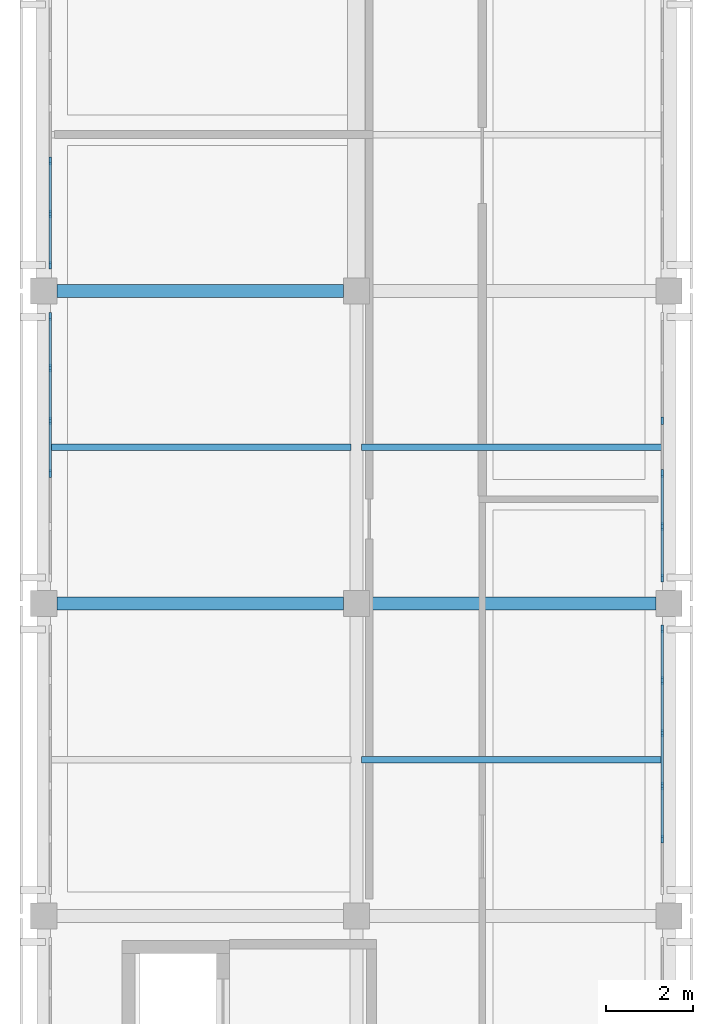
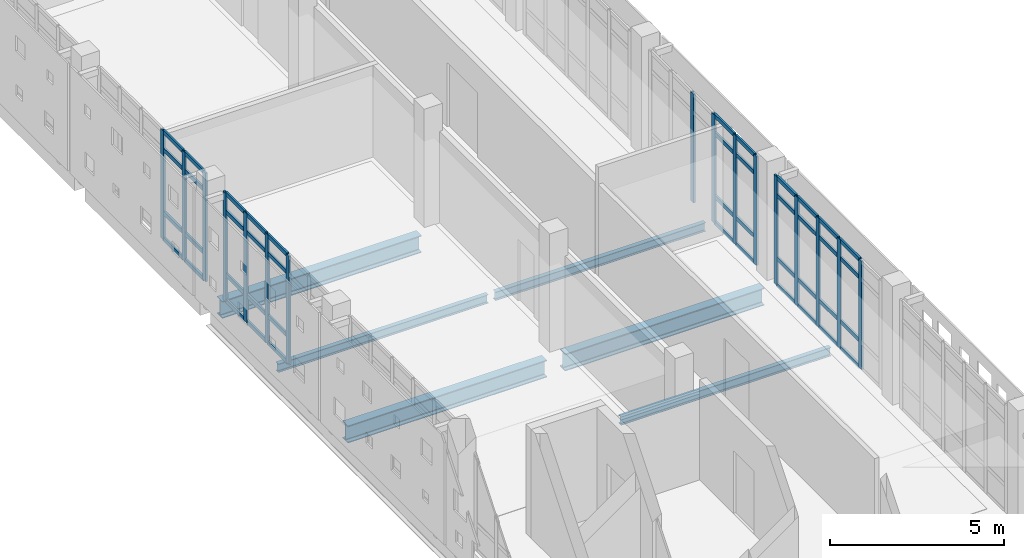
# One storey, part 5 of 21: 60 members, 6 beams, 4 elements without a shape of their own.
"""IFC4 building model written with IfcOpenShell, lengths in metres."""

from ifc_helpers import new_model, si_unit, direction, frame, origin, origin_2d, place, context, subcontext, project, spatial, rectangle, i_section, extrude, material, layer, layer_set, material_profile, profile_set, type_object, element, aggregate, save


model = new_model("IFC4")

# Units and contexts
model_context = context("Model", 3, precision=1e-05, world=origin(), true_north=direction((0.0, 1.0)))
body_context = subcontext(model_context, "Body", "Model", "MODEL_VIEW")
ifc_project = project(units=[si_unit("LENGTHUNIT", "METRE"), si_unit("AREAUNIT", "SQUARE_METRE"), si_unit("VOLUMEUNIT", "CUBIC_METRE"), si_unit("PLANEANGLEUNIT", "RADIAN"), si_unit("MASSUNIT", "GRAM", prefix="KILO")], contexts=[model_context])

# Site, building, storey
site_placement = place(None, origin())
site = spatial("IfcSite", under=ifc_project, at=site_placement, CompositionType="ELEMENT")
building_placement = place(site_placement, origin())
building = spatial("IfcBuilding", under=site, at=building_placement, Name="Valkovuoma Quantum and Materials Research Institute", CompositionType="ELEMENT")
storey_placement = place(building_placement, frame((0.0, 0.0, 33.919921875)))
storey = spatial("IfcBuildingStorey", under=building, at=storey_placement, Name="L08", CompositionType="ELEMENT", Elevation=33.919921875)

# Beams
ifc_material_1 = material(Name="Steel S355J2", Category="steel")
ifc_material_profile_1 = material_profile(ifc_material_1, i_section(OverallWidth=0.300048828125, OverallDepth=0.60009765625, WebThickness=0.015380859375, FlangeThickness=0.030029296875, FilletRadius=0.027099609375, at=origin_2d()), Name="Steel S355J2")
ifc_profile_set_1 = profile_set([ifc_material_profile_1], Name="Steel S355J2")
beam_type_1 = type_object("IfcBeamType", Name="Beam-B-HEB600", PredefinedType="BEAM", material=ifc_profile_set_1)
beam_1_placement = place(storey_placement, frame((0.300048828125, 50.39990234375, -0.64990234375), z_axis=(1.0, 0.0, 0.0), x_axis=(0.0, 1.0, 0.0)))
element("IfcBeam", 1, at=beam_1_placement, inside=storey, type_object=beam_type_1, Name="L08 beam X-2536", PredefinedType="BEAM", context=body_context, shape_type="SweptSolid", body=[
    extrude(i_section(OverallWidth=0.300048828125, OverallDepth=0.60009765625, WebThickness=0.015380859375, FlangeThickness=0.030029296875, FilletRadius=0.027099609375, at=origin_2d()), origin(), (0.0, 0.0, 1.0), 6.599853515625),
])
beam_2_placement = place(storey_placement, frame((7.5, 50.39990234375, -0.64990234375), z_axis=(1.0, 0.0, 0.0), x_axis=(0.0, 1.0, 0.0)))
element("IfcBeam", 2, at=beam_2_placement, inside=storey, type_object=beam_type_1, Name="L08 beam X-2537", PredefinedType="BEAM", context=body_context, shape_type="SweptSolid", body=[
    extrude(i_section(OverallWidth=0.300048828125, OverallDepth=0.60009765625, WebThickness=0.015380859375, FlangeThickness=0.030029296875, FilletRadius=0.027099609375, at=origin_2d()), origin(), (0.0, 0.0, 1.0), 6.60009765625),
])
beam_3_placement = place(storey_placement, frame((0.300048828125, 57.60009765625, -0.64990234375), z_axis=(1.0, 0.0, 0.0), x_axis=(0.0, 1.0, 0.0)))
element("IfcBeam", 3, at=beam_3_placement, inside=storey, type_object=beam_type_1, Name="L08 beam X-2538", PredefinedType="BEAM", context=body_context, shape_type="SweptSolid", body=[
    extrude(i_section(OverallWidth=0.300048828125, OverallDepth=0.60009765625, WebThickness=0.015380859375, FlangeThickness=0.030029296875, FilletRadius=0.027099609375, at=origin_2d()), origin(), (0.0, 0.0, 1.0), 6.599853515625),
])
ifc_material_2 = material(Name="Steel S355J2", Category="steel")
ifc_material_profile_2 = material_profile(ifc_material_2, i_section(OverallWidth=0.14990234375, OverallDepth=0.300048828125, WebThickness=0.007080078125, FlangeThickness=0.0107421875, FilletRadius=0.014892578125, at=origin_2d()), Name="Steel S355J2")
ifc_profile_set_2 = profile_set([ifc_material_profile_2], Name="Steel S355J2")
beam_type_2 = type_object("IfcBeamType", Name="Beam-B-JST300", PredefinedType="JOIST", material=ifc_profile_set_2)
for number, where, z_axis, x_axis, name in (
    (4, (7.320068359375, 46.800048828125, -0.5), (1.0, 0.0, 0.0), (0.0, 1.0, 0.0), "L08 floor joist 2563"),
    (5, (0.1201171875, 54.0, -0.5), (1.0, 0.0, 0.0), (0.0, 1.0, 0.0), "L08 floor joist 2564"),
    (6, (7.320068359375, 54.0, -0.5), (1.0, 0.0, 0.0), (0.0, 1.0, 0.0), "L08 floor joist 2565"),
):
    element("IfcBeam", number, at=place(storey_placement, frame(where, z_axis=z_axis, x_axis=x_axis)), inside=storey, type_object=beam_type_2, Name=name, PredefinedType="JOIST", context=body_context, shape_type="SweptSolid", body=[
        extrude(i_section(OverallWidth=0.14990234375, OverallDepth=0.300048828125, WebThickness=0.007080078125, FlangeThickness=0.0107421875, FilletRadius=0.014892578125, at=origin_2d()), origin(), (0.0, 0.0, 1.0), 6.9599609375),
    ])

# Curtain wall, members
ifc_material_3 = material(Name="Thermally broken aluminium and triple low-E glazing", Category="aluminium")
ifc_layer = layer(ifc_material_3, 0.219970703125)
ifc_layer_set = layer_set([ifc_layer], Name="Thermally broken aluminium and triple low-E glazing")
curtain_wall_type = type_object("IfcCurtainWallType", Name="CW-CW-01", PredefinedType="NOTDEFINED", material=ifc_layer_set)
curtain_wall_1_placement = place(storey_placement, origin())
curtain_wall_1 = element("IfcCurtainWall", 7, at=curtain_wall_1_placement, inside=storey, type_object=curtain_wall_type, Name="L08 curtain wall 115", PredefinedType="NOTDEFINED")
ifc_material_4 = material(Name="Anodised aluminium 6060-T66", Category="aluminium")
ifc_material_profile_3 = material_profile(ifc_material_4, rectangle(XDim=0.06494140625, YDim=0.179931640625, at=origin_2d()), Name="Anodised aluminium 6060-T66")
ifc_profile_set_3 = profile_set([ifc_material_profile_3], Name="Anodised aluminium 6060-T66")
member_type_1 = type_object("IfcMemberType", Name="CWMull-CWM-01", PredefinedType="MULLION", material=ifc_profile_set_3)
member_1_placement = place(storey_placement, frame((14.25, 44.974365234375, 0.0), z_axis=(0.0, 0.0, 1.0), x_axis=(-1.0, 0.0, 0.0)))
member_1 = element("IfcMember", 8, at=member_1_placement, type_object=member_type_1, Name="CW-01 mullion 2", PredefinedType="MULLION", context=body_context, shape_type="SweptSolid", body=[
    extrude(rectangle(XDim=0.06494140625, YDim=0.179931640625, at=origin_2d()), origin(), (0.0, 0.0, 1.0), 3.81005859375),
])
member_2_placement = place(storey_placement, frame((14.25, 46.19140625, 0.0), z_axis=(0.0, 0.0, 1.0), x_axis=(-1.0, 0.0, 0.0)))
member_2 = element("IfcMember", 9, at=member_2_placement, type_object=member_type_1, Name="CW-01 mullion 3", PredefinedType="MULLION", context=body_context, shape_type="SweptSolid", body=[
    extrude(rectangle(XDim=0.06494140625, YDim=0.179931640625, at=origin_2d()), origin(), (0.0, 0.0, 1.0), 3.81005859375),
])
member_3_placement = place(storey_placement, frame((14.25, 47.40869140625, 0.0), z_axis=(0.0, 0.0, 1.0), x_axis=(-1.0, 0.0, 0.0)))
member_3 = element("IfcMember", 10, at=member_3_placement, type_object=member_type_1, Name="CW-01 mullion 4", PredefinedType="MULLION", context=body_context, shape_type="SweptSolid", body=[
    extrude(rectangle(XDim=0.06494140625, YDim=0.179931640625, at=origin_2d()), origin(), (0.0, 0.0, 1.0), 3.81005859375),
])
member_4_placement = place(storey_placement, frame((14.25, 48.625732421875, 0.0), z_axis=(0.0, 0.0, 1.0), x_axis=(-1.0, 0.0, 0.0)))
member_4 = element("IfcMember", 11, at=member_4_placement, type_object=member_type_1, Name="CW-01 mullion 5", PredefinedType="MULLION", context=body_context, shape_type="SweptSolid", body=[
    extrude(rectangle(XDim=0.06494140625, YDim=0.179931640625, at=origin_2d()), origin(), (0.0, 0.0, 1.0), 3.81005859375),
])
member_5_placement = place(storey_placement, frame((14.25, 49.810302734375, 0.0), z_axis=(0.0, 0.0, 1.0), x_axis=(-1.0, 0.0, 0.0)))
member_5 = element("IfcMember", 12, at=member_5_placement, type_object=member_type_1, Name="CW-01 mullion 6", PredefinedType="MULLION", context=body_context, shape_type="SweptSolid", body=[
    extrude(rectangle(XDim=0.06494140625, YDim=0.179931640625, at=origin_2d()), origin(), (0.0, 0.0, 1.0), 3.81005859375),
])

curtain_wall_2_placement = place(storey_placement, origin())
curtain_wall_2 = element("IfcCurtainWall", 13, at=curtain_wall_2_placement, inside=storey, type_object=curtain_wall_type, Name="L08 curtain wall 116", PredefinedType="NOTDEFINED")
member_6_placement = place(storey_placement, frame((0.14990234375, 53.391357421875, 0.0), z_axis=(0.0, 0.0, 1.0), x_axis=(-1.0, 0.0, 0.0)))
member_6 = element("IfcMember", 14, at=member_6_placement, type_object=member_type_1, Name="CW-01 mullion 3", PredefinedType="MULLION", context=body_context, shape_type="SweptSolid", body=[
    extrude(rectangle(XDim=0.06494140625, YDim=0.179931640625, at=origin_2d()), origin(), (0.0, 0.0, 1.0), 3.81005859375),
])
member_7_placement = place(storey_placement, frame((0.14990234375, 54.608642578125, 0.0), z_axis=(0.0, 0.0, 1.0), x_axis=(-1.0, 0.0, 0.0)))
member_7 = element("IfcMember", 15, at=member_7_placement, type_object=member_type_1, Name="CW-01 mullion 4", PredefinedType="MULLION", context=body_context, shape_type="SweptSolid", body=[
    extrude(rectangle(XDim=0.06494140625, YDim=0.179931640625, at=origin_2d()), origin(), (0.0, 0.0, 1.0), 3.81005859375),
])
member_8_placement = place(storey_placement, frame((0.14990234375, 55.82568359375, 0.0), z_axis=(0.0, 0.0, 1.0), x_axis=(-1.0, 0.0, 0.0)))
member_8 = element("IfcMember", 16, at=member_8_placement, type_object=member_type_1, Name="CW-01 mullion 5", PredefinedType="MULLION", context=body_context, shape_type="SweptSolid", body=[
    extrude(rectangle(XDim=0.06494140625, YDim=0.179931640625, at=origin_2d()), origin(), (0.0, 0.0, 1.0), 3.81005859375),
])
member_9_placement = place(storey_placement, frame((0.14990234375, 57.010498046875, 0.0), z_axis=(0.0, 0.0, 1.0), x_axis=(-1.0, 0.0, 0.0)))
member_9 = element("IfcMember", 17, at=member_9_placement, type_object=member_type_1, Name="CW-01 mullion 6", PredefinedType="MULLION", context=body_context, shape_type="SweptSolid", body=[
    extrude(rectangle(XDim=0.06494140625, YDim=0.179931640625, at=origin_2d()), origin(), (0.0, 0.0, 1.0), 3.81005859375),
])

curtain_wall_3_placement = place(storey_placement, origin())
curtain_wall_3 = element("IfcCurtainWall", 18, at=curtain_wall_3_placement, inside=storey, type_object=curtain_wall_type, Name="L08 curtain wall 117", PredefinedType="NOTDEFINED")
member_10_placement = place(storey_placement, frame((14.25, 50.989501953125, 0.0), z_axis=(0.0, 0.0, 1.0), x_axis=(-1.0, 0.0, 0.0)))
member_10 = element("IfcMember", 19, at=member_10_placement, type_object=member_type_1, Name="CW-01 mullion 1", PredefinedType="MULLION", context=body_context, shape_type="SweptSolid", body=[
    extrude(rectangle(XDim=0.06494140625, YDim=0.179931640625, at=origin_2d()), origin(), (0.0, 0.0, 1.0), 3.81005859375),
])
member_11_placement = place(storey_placement, frame((14.25, 52.17431640625, 0.0), z_axis=(0.0, 0.0, 1.0), x_axis=(-1.0, 0.0, 0.0)))
member_11 = element("IfcMember", 20, at=member_11_placement, type_object=member_type_1, Name="CW-01 mullion 2", PredefinedType="MULLION", context=body_context, shape_type="SweptSolid", body=[
    extrude(rectangle(XDim=0.06494140625, YDim=0.179931640625, at=origin_2d()), origin(), (0.0, 0.0, 1.0), 3.81005859375),
])
member_12_placement = place(storey_placement, frame((14.25, 53.391357421875, 0.0), z_axis=(0.0, 0.0, 1.0), x_axis=(-1.0, 0.0, 0.0)))
member_12 = element("IfcMember", 21, at=member_12_placement, type_object=member_type_1, Name="CW-01 mullion 3", PredefinedType="MULLION", context=body_context, shape_type="SweptSolid", body=[
    extrude(rectangle(XDim=0.06494140625, YDim=0.179931640625, at=origin_2d()), origin(), (0.0, 0.0, 1.0), 3.81005859375),
])
member_13_placement = place(storey_placement, frame((14.25, 54.608642578125, 0.0), z_axis=(0.0, 0.0, 1.0), x_axis=(-1.0, 0.0, 0.0)))
member_13 = element("IfcMember", 22, at=member_13_placement, type_object=member_type_1, Name="CW-01 mullion 4", PredefinedType="MULLION", context=body_context, shape_type="SweptSolid", body=[
    extrude(rectangle(XDim=0.06494140625, YDim=0.179931640625, at=origin_2d()), origin(), (0.0, 0.0, 1.0), 3.81005859375),
])

curtain_wall_4_placement = place(storey_placement, origin())
curtain_wall_4 = element("IfcCurtainWall", 23, at=curtain_wall_4_placement, inside=storey, type_object=curtain_wall_type, Name="L08 curtain wall 118", PredefinedType="NOTDEFINED")
member_14_placement = place(storey_placement, frame((0.14990234375, 58.189697265625, 0.0), z_axis=(0.0, 0.0, 1.0), x_axis=(-1.0, 0.0, 0.0)))
member_14 = element("IfcMember", 24, at=member_14_placement, type_object=member_type_1, Name="CW-01 mullion 1", PredefinedType="MULLION", context=body_context, shape_type="SweptSolid", body=[
    extrude(rectangle(XDim=0.06494140625, YDim=0.179931640625, at=origin_2d()), origin(), (0.0, 0.0, 1.0), 3.81005859375),
])
member_15_placement = place(storey_placement, frame((0.14990234375, 59.374267578125, 0.0), z_axis=(0.0, 0.0, 1.0), x_axis=(-1.0, 0.0, 0.0)))
member_15 = element("IfcMember", 25, at=member_15_placement, type_object=member_type_1, Name="CW-01 mullion 2", PredefinedType="MULLION", context=body_context, shape_type="SweptSolid", body=[
    extrude(rectangle(XDim=0.06494140625, YDim=0.179931640625, at=origin_2d()), origin(), (0.0, 0.0, 1.0), 3.81005859375),
])
member_16_placement = place(storey_placement, frame((0.14990234375, 60.59130859375, 0.0), z_axis=(0.0, 0.0, 1.0), x_axis=(-1.0, 0.0, 0.0)))
member_16 = element("IfcMember", 26, at=member_16_placement, type_object=member_type_1, Name="CW-01 mullion 3", PredefinedType="MULLION", context=body_context, shape_type="SweptSolid", body=[
    extrude(rectangle(XDim=0.06494140625, YDim=0.179931640625, at=origin_2d()), origin(), (0.0, 0.0, 1.0), 3.81005859375),
])

# Member
ifc_material_5 = material(Name="Anodised aluminium 6060-T66", Category="aluminium")
ifc_material_profile_4 = material_profile(ifc_material_5, rectangle(XDim=0.06494140625, YDim=0.139892578125, at=origin_2d()), Name="Anodised aluminium 6060-T66")
ifc_profile_set_4 = profile_set([ifc_material_profile_4], Name="Anodised aluminium 6060-T66")
member_type_2 = type_object("IfcMemberType", Name="CWTran-CWT-01", PredefinedType="USERDEFINED", material=ifc_profile_set_4)
member_17_placement = place(storey_placement, frame((14.25, 45.0068359375, 0.032470703125), z_axis=(0.0, 1.0, 0.0), x_axis=(-1.0, 0.0, 0.0)))
member_17 = element("IfcMember", 27, at=member_17_placement, type_object=member_type_2, Name="CW-01 transom 2.1", ObjectType="TRANSOM", PredefinedType="USERDEFINED", context=body_context, shape_type="SweptSolid", body=[
    extrude(rectangle(XDim=0.06494140625, YDim=0.139892578125, at=origin_2d()), origin(), (0.0, 0.0, 1.0), 1.152099609375),
])

member_18_placement = place(storey_placement, frame((14.25, 45.0068359375, 0.9501953125), z_axis=(0.0, 1.0, 0.0), x_axis=(-1.0, 0.0, 0.0)))
member_18 = element("IfcMember", 28, at=member_18_placement, type_object=member_type_2, Name="CW-01 transom 2.2", ObjectType="TRANSOM", PredefinedType="USERDEFINED", context=body_context, shape_type="SweptSolid", body=[
    extrude(rectangle(XDim=0.06494140625, YDim=0.139892578125, at=origin_2d()), origin(), (0.0, 0.0, 1.0), 1.152099609375),
])

member_19_placement = place(storey_placement, frame((14.25, 45.0068359375, 3.16015625), z_axis=(0.0, 1.0, 0.0), x_axis=(-1.0, 0.0, 0.0)))
member_19 = element("IfcMember", 29, at=member_19_placement, type_object=member_type_2, Name="CW-01 transom 2.3", ObjectType="TRANSOM", PredefinedType="USERDEFINED", context=body_context, shape_type="SweptSolid", body=[
    extrude(rectangle(XDim=0.06494140625, YDim=0.139892578125, at=origin_2d()), origin(), (0.0, 0.0, 1.0), 1.152099609375),
])

member_20_placement = place(storey_placement, frame((14.25, 45.0068359375, 3.777587890625), z_axis=(0.0, 1.0, 0.0), x_axis=(-1.0, 0.0, 0.0)))
member_20 = element("IfcMember", 30, at=member_20_placement, type_object=member_type_2, Name="CW-01 transom 2.4", ObjectType="TRANSOM", PredefinedType="USERDEFINED", context=body_context, shape_type="SweptSolid", body=[
    extrude(rectangle(XDim=0.06494140625, YDim=0.139892578125, at=origin_2d()), origin(), (0.0, 0.0, 1.0), 1.152099609375),
])

member_21_placement = place(storey_placement, frame((14.25, 46.223876953125, 0.032470703125), z_axis=(0.0, 1.0, 0.0), x_axis=(-1.0, 0.0, 0.0)))
member_21 = element("IfcMember", 31, at=member_21_placement, type_object=member_type_2, Name="CW-01 transom 3.1", ObjectType="TRANSOM", PredefinedType="USERDEFINED", context=body_context, shape_type="SweptSolid", body=[
    extrude(rectangle(XDim=0.06494140625, YDim=0.139892578125, at=origin_2d()), origin(), (0.0, 0.0, 1.0), 1.152099609375),
])

member_22_placement = place(storey_placement, frame((14.25, 46.223876953125, 0.9501953125), z_axis=(0.0, 1.0, 0.0), x_axis=(-1.0, 0.0, 0.0)))
member_22 = element("IfcMember", 32, at=member_22_placement, type_object=member_type_2, Name="CW-01 transom 3.2", ObjectType="TRANSOM", PredefinedType="USERDEFINED", context=body_context, shape_type="SweptSolid", body=[
    extrude(rectangle(XDim=0.06494140625, YDim=0.139892578125, at=origin_2d()), origin(), (0.0, 0.0, 1.0), 1.152099609375),
])

member_23_placement = place(storey_placement, frame((14.25, 46.223876953125, 3.16015625), z_axis=(0.0, 1.0, 0.0), x_axis=(-1.0, 0.0, 0.0)))
member_23 = element("IfcMember", 33, at=member_23_placement, type_object=member_type_2, Name="CW-01 transom 3.3", ObjectType="TRANSOM", PredefinedType="USERDEFINED", context=body_context, shape_type="SweptSolid", body=[
    extrude(rectangle(XDim=0.06494140625, YDim=0.139892578125, at=origin_2d()), origin(), (0.0, 0.0, 1.0), 1.152099609375),
])

member_24_placement = place(storey_placement, frame((14.25, 46.223876953125, 3.777587890625), z_axis=(0.0, 1.0, 0.0), x_axis=(-1.0, 0.0, 0.0)))
member_24 = element("IfcMember", 34, at=member_24_placement, type_object=member_type_2, Name="CW-01 transom 3.4", ObjectType="TRANSOM", PredefinedType="USERDEFINED", context=body_context, shape_type="SweptSolid", body=[
    extrude(rectangle(XDim=0.06494140625, YDim=0.139892578125, at=origin_2d()), origin(), (0.0, 0.0, 1.0), 1.152099609375),
])

member_25_placement = place(storey_placement, frame((14.25, 47.441162109375, 0.032470703125), z_axis=(0.0, 1.0, 0.0), x_axis=(-1.0, 0.0, 0.0)))
member_25 = element("IfcMember", 35, at=member_25_placement, type_object=member_type_2, Name="CW-01 transom 4.1", ObjectType="TRANSOM", PredefinedType="USERDEFINED", context=body_context, shape_type="SweptSolid", body=[
    extrude(rectangle(XDim=0.06494140625, YDim=0.139892578125, at=origin_2d()), origin(), (0.0, 0.0, 1.0), 1.152099609375),
])

member_26_placement = place(storey_placement, frame((14.25, 47.441162109375, 0.9501953125), z_axis=(0.0, 1.0, 0.0), x_axis=(-1.0, 0.0, 0.0)))
member_26 = element("IfcMember", 36, at=member_26_placement, type_object=member_type_2, Name="CW-01 transom 4.2", ObjectType="TRANSOM", PredefinedType="USERDEFINED", context=body_context, shape_type="SweptSolid", body=[
    extrude(rectangle(XDim=0.06494140625, YDim=0.139892578125, at=origin_2d()), origin(), (0.0, 0.0, 1.0), 1.152099609375),
])

member_27_placement = place(storey_placement, frame((14.25, 47.441162109375, 3.16015625), z_axis=(0.0, 1.0, 0.0), x_axis=(-1.0, 0.0, 0.0)))
member_27 = element("IfcMember", 37, at=member_27_placement, type_object=member_type_2, Name="CW-01 transom 4.3", ObjectType="TRANSOM", PredefinedType="USERDEFINED", context=body_context, shape_type="SweptSolid", body=[
    extrude(rectangle(XDim=0.06494140625, YDim=0.139892578125, at=origin_2d()), origin(), (0.0, 0.0, 1.0), 1.152099609375),
])

member_28_placement = place(storey_placement, frame((14.25, 47.441162109375, 3.777587890625), z_axis=(0.0, 1.0, 0.0), x_axis=(-1.0, 0.0, 0.0)))
member_28 = element("IfcMember", 38, at=member_28_placement, type_object=member_type_2, Name="CW-01 transom 4.4", ObjectType="TRANSOM", PredefinedType="USERDEFINED", context=body_context, shape_type="SweptSolid", body=[
    extrude(rectangle(XDim=0.06494140625, YDim=0.139892578125, at=origin_2d()), origin(), (0.0, 0.0, 1.0), 1.152099609375),
])

member_29_placement = place(storey_placement, frame((14.25, 48.658203125, 0.032470703125), z_axis=(0.0, 1.0, 0.0), x_axis=(-1.0, 0.0, 0.0)))
member_29 = element("IfcMember", 39, at=member_29_placement, type_object=member_type_2, Name="CW-01 transom 5.1", ObjectType="TRANSOM", PredefinedType="USERDEFINED", context=body_context, shape_type="SweptSolid", body=[
    extrude(rectangle(XDim=0.06494140625, YDim=0.139892578125, at=origin_2d()), origin(), (0.0, 0.0, 1.0), 1.11962890625),
])

member_30_placement = place(storey_placement, frame((14.25, 48.658203125, 0.9501953125), z_axis=(0.0, 1.0, 0.0), x_axis=(-1.0, 0.0, 0.0)))
member_30 = element("IfcMember", 40, at=member_30_placement, type_object=member_type_2, Name="CW-01 transom 5.2", ObjectType="TRANSOM", PredefinedType="USERDEFINED", context=body_context, shape_type="SweptSolid", body=[
    extrude(rectangle(XDim=0.06494140625, YDim=0.139892578125, at=origin_2d()), origin(), (0.0, 0.0, 1.0), 1.11962890625),
])

member_31_placement = place(storey_placement, frame((14.25, 48.658203125, 3.16015625), z_axis=(0.0, 1.0, 0.0), x_axis=(-1.0, 0.0, 0.0)))
member_31 = element("IfcMember", 41, at=member_31_placement, type_object=member_type_2, Name="CW-01 transom 5.3", ObjectType="TRANSOM", PredefinedType="USERDEFINED", context=body_context, shape_type="SweptSolid", body=[
    extrude(rectangle(XDim=0.06494140625, YDim=0.139892578125, at=origin_2d()), origin(), (0.0, 0.0, 1.0), 1.11962890625),
])

member_32_placement = place(storey_placement, frame((14.25, 48.658203125, 3.777587890625), z_axis=(0.0, 1.0, 0.0), x_axis=(-1.0, 0.0, 0.0)))
member_32 = element("IfcMember", 42, at=member_32_placement, type_object=member_type_2, Name="CW-01 transom 5.4", ObjectType="TRANSOM", PredefinedType="USERDEFINED", context=body_context, shape_type="SweptSolid", body=[
    extrude(rectangle(XDim=0.06494140625, YDim=0.139892578125, at=origin_2d()), origin(), (0.0, 0.0, 1.0), 1.11962890625),
])

aggregate(curtain_wall_1, [member_1, member_2, member_3, member_4, member_5, member_17, member_18, member_19, member_20, member_21, member_22, member_23, member_24, member_25, member_26, member_27, member_28, member_29, member_30, member_31, member_32])

member_33_placement = place(storey_placement, frame((0.14990234375, 53.423828125, 0.032470703125), z_axis=(0.0, 1.0, 0.0), x_axis=(-1.0, 0.0, 0.0)))
member_33 = element("IfcMember", 43, at=member_33_placement, type_object=member_type_2, Name="CW-01 transom 3.1", ObjectType="TRANSOM", PredefinedType="USERDEFINED", context=body_context, shape_type="SweptSolid", body=[
    extrude(rectangle(XDim=0.06494140625, YDim=0.139892578125, at=origin_2d()), origin(), (0.0, 0.0, 1.0), 1.15234375),
])

member_34_placement = place(storey_placement, frame((0.14990234375, 53.423828125, 0.9501953125), z_axis=(0.0, 1.0, 0.0), x_axis=(-1.0, 0.0, 0.0)))
member_34 = element("IfcMember", 44, at=member_34_placement, type_object=member_type_2, Name="CW-01 transom 3.2", ObjectType="TRANSOM", PredefinedType="USERDEFINED", context=body_context, shape_type="SweptSolid", body=[
    extrude(rectangle(XDim=0.06494140625, YDim=0.139892578125, at=origin_2d()), origin(), (0.0, 0.0, 1.0), 1.15234375),
])

member_35_placement = place(storey_placement, frame((0.14990234375, 53.423828125, 3.16015625), z_axis=(0.0, 1.0, 0.0), x_axis=(-1.0, 0.0, 0.0)))
member_35 = element("IfcMember", 45, at=member_35_placement, type_object=member_type_2, Name="CW-01 transom 3.3", ObjectType="TRANSOM", PredefinedType="USERDEFINED", context=body_context, shape_type="SweptSolid", body=[
    extrude(rectangle(XDim=0.06494140625, YDim=0.139892578125, at=origin_2d()), origin(), (0.0, 0.0, 1.0), 1.15234375),
])

member_36_placement = place(storey_placement, frame((0.14990234375, 53.423828125, 3.777587890625), z_axis=(0.0, 1.0, 0.0), x_axis=(-1.0, 0.0, 0.0)))
member_36 = element("IfcMember", 46, at=member_36_placement, type_object=member_type_2, Name="CW-01 transom 3.4", ObjectType="TRANSOM", PredefinedType="USERDEFINED", context=body_context, shape_type="SweptSolid", body=[
    extrude(rectangle(XDim=0.06494140625, YDim=0.139892578125, at=origin_2d()), origin(), (0.0, 0.0, 1.0), 1.15234375),
])

member_37_placement = place(storey_placement, frame((0.14990234375, 54.64111328125, 0.032470703125), z_axis=(0.0, 1.0, 0.0), x_axis=(-1.0, 0.0, 0.0)))
member_37 = element("IfcMember", 47, at=member_37_placement, type_object=member_type_2, Name="CW-01 transom 4.1", ObjectType="TRANSOM", PredefinedType="USERDEFINED", context=body_context, shape_type="SweptSolid", body=[
    extrude(rectangle(XDim=0.06494140625, YDim=0.139892578125, at=origin_2d()), origin(), (0.0, 0.0, 1.0), 1.152099609375),
])

member_38_placement = place(storey_placement, frame((0.14990234375, 54.64111328125, 0.9501953125), z_axis=(0.0, 1.0, 0.0), x_axis=(-1.0, 0.0, 0.0)))
member_38 = element("IfcMember", 48, at=member_38_placement, type_object=member_type_2, Name="CW-01 transom 4.2", ObjectType="TRANSOM", PredefinedType="USERDEFINED", context=body_context, shape_type="SweptSolid", body=[
    extrude(rectangle(XDim=0.06494140625, YDim=0.139892578125, at=origin_2d()), origin(), (0.0, 0.0, 1.0), 1.152099609375),
])

member_39_placement = place(storey_placement, frame((0.14990234375, 54.64111328125, 3.16015625), z_axis=(0.0, 1.0, 0.0), x_axis=(-1.0, 0.0, 0.0)))
member_39 = element("IfcMember", 49, at=member_39_placement, type_object=member_type_2, Name="CW-01 transom 4.3", ObjectType="TRANSOM", PredefinedType="USERDEFINED", context=body_context, shape_type="SweptSolid", body=[
    extrude(rectangle(XDim=0.06494140625, YDim=0.139892578125, at=origin_2d()), origin(), (0.0, 0.0, 1.0), 1.152099609375),
])

member_40_placement = place(storey_placement, frame((0.14990234375, 54.64111328125, 3.777587890625), z_axis=(0.0, 1.0, 0.0), x_axis=(-1.0, 0.0, 0.0)))
member_40 = element("IfcMember", 50, at=member_40_placement, type_object=member_type_2, Name="CW-01 transom 4.4", ObjectType="TRANSOM", PredefinedType="USERDEFINED", context=body_context, shape_type="SweptSolid", body=[
    extrude(rectangle(XDim=0.06494140625, YDim=0.139892578125, at=origin_2d()), origin(), (0.0, 0.0, 1.0), 1.152099609375),
])

member_41_placement = place(storey_placement, frame((0.14990234375, 55.858154296875, 0.032470703125), z_axis=(0.0, 1.0, 0.0), x_axis=(-1.0, 0.0, 0.0)))
member_41 = element("IfcMember", 51, at=member_41_placement, type_object=member_type_2, Name="CW-01 transom 5.1", ObjectType="TRANSOM", PredefinedType="USERDEFINED", context=body_context, shape_type="SweptSolid", body=[
    extrude(rectangle(XDim=0.06494140625, YDim=0.139892578125, at=origin_2d()), origin(), (0.0, 0.0, 1.0), 1.11962890625),
])

member_42_placement = place(storey_placement, frame((0.14990234375, 55.858154296875, 0.9501953125), z_axis=(0.0, 1.0, 0.0), x_axis=(-1.0, 0.0, 0.0)))
member_42 = element("IfcMember", 52, at=member_42_placement, type_object=member_type_2, Name="CW-01 transom 5.2", ObjectType="TRANSOM", PredefinedType="USERDEFINED", context=body_context, shape_type="SweptSolid", body=[
    extrude(rectangle(XDim=0.06494140625, YDim=0.139892578125, at=origin_2d()), origin(), (0.0, 0.0, 1.0), 1.11962890625),
])

member_43_placement = place(storey_placement, frame((0.14990234375, 55.858154296875, 3.16015625), z_axis=(0.0, 1.0, 0.0), x_axis=(-1.0, 0.0, 0.0)))
member_43 = element("IfcMember", 53, at=member_43_placement, type_object=member_type_2, Name="CW-01 transom 5.3", ObjectType="TRANSOM", PredefinedType="USERDEFINED", context=body_context, shape_type="SweptSolid", body=[
    extrude(rectangle(XDim=0.06494140625, YDim=0.139892578125, at=origin_2d()), origin(), (0.0, 0.0, 1.0), 1.11962890625),
])

member_44_placement = place(storey_placement, frame((0.14990234375, 55.858154296875, 3.777587890625), z_axis=(0.0, 1.0, 0.0), x_axis=(-1.0, 0.0, 0.0)))
member_44 = element("IfcMember", 54, at=member_44_placement, type_object=member_type_2, Name="CW-01 transom 5.4", ObjectType="TRANSOM", PredefinedType="USERDEFINED", context=body_context, shape_type="SweptSolid", body=[
    extrude(rectangle(XDim=0.06494140625, YDim=0.139892578125, at=origin_2d()), origin(), (0.0, 0.0, 1.0), 1.11962890625),
])

aggregate(curtain_wall_2, [member_6, member_7, member_8, member_9, member_33, member_34, member_35, member_36, member_37, member_38, member_39, member_40, member_41, member_42, member_43, member_44])

member_45_placement = place(storey_placement, frame((14.25, 51.022216796875, 0.032470703125), z_axis=(0.0, 1.0, 0.0), x_axis=(-1.0, 0.0, 0.0)))
member_45 = element("IfcMember", 55, at=member_45_placement, type_object=member_type_2, Name="CW-01 transom 1.1", ObjectType="TRANSOM", PredefinedType="USERDEFINED", context=body_context, shape_type="SweptSolid", body=[
    extrude(rectangle(XDim=0.06494140625, YDim=0.139892578125, at=origin_2d()), origin(), (0.0, 0.0, 1.0), 1.11962890625),
])

member_46_placement = place(storey_placement, frame((14.25, 51.022216796875, 0.9501953125), z_axis=(0.0, 1.0, 0.0), x_axis=(-1.0, 0.0, 0.0)))
member_46 = element("IfcMember", 56, at=member_46_placement, type_object=member_type_2, Name="CW-01 transom 1.2", ObjectType="TRANSOM", PredefinedType="USERDEFINED", context=body_context, shape_type="SweptSolid", body=[
    extrude(rectangle(XDim=0.06494140625, YDim=0.139892578125, at=origin_2d()), origin(), (0.0, 0.0, 1.0), 1.11962890625),
])

member_47_placement = place(storey_placement, frame((14.25, 51.022216796875, 3.16015625), z_axis=(0.0, 1.0, 0.0), x_axis=(-1.0, 0.0, 0.0)))
member_47 = element("IfcMember", 57, at=member_47_placement, type_object=member_type_2, Name="CW-01 transom 1.3", ObjectType="TRANSOM", PredefinedType="USERDEFINED", context=body_context, shape_type="SweptSolid", body=[
    extrude(rectangle(XDim=0.06494140625, YDim=0.139892578125, at=origin_2d()), origin(), (0.0, 0.0, 1.0), 1.11962890625),
])

member_48_placement = place(storey_placement, frame((14.25, 51.022216796875, 3.777587890625), z_axis=(0.0, 1.0, 0.0), x_axis=(-1.0, 0.0, 0.0)))
member_48 = element("IfcMember", 58, at=member_48_placement, type_object=member_type_2, Name="CW-01 transom 1.4", ObjectType="TRANSOM", PredefinedType="USERDEFINED", context=body_context, shape_type="SweptSolid", body=[
    extrude(rectangle(XDim=0.06494140625, YDim=0.139892578125, at=origin_2d()), origin(), (0.0, 0.0, 1.0), 1.11962890625),
])

member_49_placement = place(storey_placement, frame((14.25, 52.206787109375, 0.032470703125), z_axis=(0.0, 1.0, 0.0), x_axis=(-1.0, 0.0, 0.0)))
member_49 = element("IfcMember", 59, at=member_49_placement, type_object=member_type_2, Name="CW-01 transom 2.1", ObjectType="TRANSOM", PredefinedType="USERDEFINED", context=body_context, shape_type="SweptSolid", body=[
    extrude(rectangle(XDim=0.06494140625, YDim=0.139892578125, at=origin_2d()), origin(), (0.0, 0.0, 1.0), 1.152099609375),
])

member_50_placement = place(storey_placement, frame((14.25, 52.206787109375, 0.9501953125), z_axis=(0.0, 1.0, 0.0), x_axis=(-1.0, 0.0, 0.0)))
member_50 = element("IfcMember", 60, at=member_50_placement, type_object=member_type_2, Name="CW-01 transom 2.2", ObjectType="TRANSOM", PredefinedType="USERDEFINED", context=body_context, shape_type="SweptSolid", body=[
    extrude(rectangle(XDim=0.06494140625, YDim=0.139892578125, at=origin_2d()), origin(), (0.0, 0.0, 1.0), 1.152099609375),
])

member_51_placement = place(storey_placement, frame((14.25, 52.206787109375, 3.16015625), z_axis=(0.0, 1.0, 0.0), x_axis=(-1.0, 0.0, 0.0)))
member_51 = element("IfcMember", 61, at=member_51_placement, type_object=member_type_2, Name="CW-01 transom 2.3", ObjectType="TRANSOM", PredefinedType="USERDEFINED", context=body_context, shape_type="SweptSolid", body=[
    extrude(rectangle(XDim=0.06494140625, YDim=0.139892578125, at=origin_2d()), origin(), (0.0, 0.0, 1.0), 1.152099609375),
])

member_52_placement = place(storey_placement, frame((14.25, 52.206787109375, 3.777587890625), z_axis=(0.0, 1.0, 0.0), x_axis=(-1.0, 0.0, 0.0)))
member_52 = element("IfcMember", 62, at=member_52_placement, type_object=member_type_2, Name="CW-01 transom 2.4", ObjectType="TRANSOM", PredefinedType="USERDEFINED", context=body_context, shape_type="SweptSolid", body=[
    extrude(rectangle(XDim=0.06494140625, YDim=0.139892578125, at=origin_2d()), origin(), (0.0, 0.0, 1.0), 1.152099609375),
])

aggregate(curtain_wall_3, [member_10, member_11, member_12, member_13, member_45, member_46, member_47, member_48, member_49, member_50, member_51, member_52])

member_53_placement = place(storey_placement, frame((0.14990234375, 58.22216796875, 0.032470703125), z_axis=(0.0, 1.0, 0.0), x_axis=(-1.0, 0.0, 0.0)))
member_53 = element("IfcMember", 63, at=member_53_placement, type_object=member_type_2, Name="CW-01 transom 1.1", ObjectType="TRANSOM", PredefinedType="USERDEFINED", context=body_context, shape_type="SweptSolid", body=[
    extrude(rectangle(XDim=0.06494140625, YDim=0.139892578125, at=origin_2d()), origin(), (0.0, 0.0, 1.0), 1.11962890625),
])

member_54_placement = place(storey_placement, frame((0.14990234375, 58.22216796875, 0.9501953125), z_axis=(0.0, 1.0, 0.0), x_axis=(-1.0, 0.0, 0.0)))
member_54 = element("IfcMember", 64, at=member_54_placement, type_object=member_type_2, Name="CW-01 transom 1.2", ObjectType="TRANSOM", PredefinedType="USERDEFINED", context=body_context, shape_type="SweptSolid", body=[
    extrude(rectangle(XDim=0.06494140625, YDim=0.139892578125, at=origin_2d()), origin(), (0.0, 0.0, 1.0), 1.11962890625),
])

member_55_placement = place(storey_placement, frame((0.14990234375, 58.22216796875, 3.16015625), z_axis=(0.0, 1.0, 0.0), x_axis=(-1.0, 0.0, 0.0)))
member_55 = element("IfcMember", 65, at=member_55_placement, type_object=member_type_2, Name="CW-01 transom 1.3", ObjectType="TRANSOM", PredefinedType="USERDEFINED", context=body_context, shape_type="SweptSolid", body=[
    extrude(rectangle(XDim=0.06494140625, YDim=0.139892578125, at=origin_2d()), origin(), (0.0, 0.0, 1.0), 1.11962890625),
])

member_56_placement = place(storey_placement, frame((0.14990234375, 58.22216796875, 3.777587890625), z_axis=(0.0, 1.0, 0.0), x_axis=(-1.0, 0.0, 0.0)))
member_56 = element("IfcMember", 66, at=member_56_placement, type_object=member_type_2, Name="CW-01 transom 1.4", ObjectType="TRANSOM", PredefinedType="USERDEFINED", context=body_context, shape_type="SweptSolid", body=[
    extrude(rectangle(XDim=0.06494140625, YDim=0.139892578125, at=origin_2d()), origin(), (0.0, 0.0, 1.0), 1.11962890625),
])

member_57_placement = place(storey_placement, frame((0.14990234375, 59.40673828125, 0.032470703125), z_axis=(0.0, 1.0, 0.0), x_axis=(-1.0, 0.0, 0.0)))
member_57 = element("IfcMember", 67, at=member_57_placement, type_object=member_type_2, Name="CW-01 transom 2.1", ObjectType="TRANSOM", PredefinedType="USERDEFINED", context=body_context, shape_type="SweptSolid", body=[
    extrude(rectangle(XDim=0.06494140625, YDim=0.139892578125, at=origin_2d()), origin(), (0.0, 0.0, 1.0), 1.152099609375),
])

member_58_placement = place(storey_placement, frame((0.14990234375, 59.40673828125, 0.9501953125), z_axis=(0.0, 1.0, 0.0), x_axis=(-1.0, 0.0, 0.0)))
member_58 = element("IfcMember", 68, at=member_58_placement, type_object=member_type_2, Name="CW-01 transom 2.2", ObjectType="TRANSOM", PredefinedType="USERDEFINED", context=body_context, shape_type="SweptSolid", body=[
    extrude(rectangle(XDim=0.06494140625, YDim=0.139892578125, at=origin_2d()), origin(), (0.0, 0.0, 1.0), 1.152099609375),
])

member_59_placement = place(storey_placement, frame((0.14990234375, 59.40673828125, 3.16015625), z_axis=(0.0, 1.0, 0.0), x_axis=(-1.0, 0.0, 0.0)))
member_59 = element("IfcMember", 69, at=member_59_placement, type_object=member_type_2, Name="CW-01 transom 2.3", ObjectType="TRANSOM", PredefinedType="USERDEFINED", context=body_context, shape_type="SweptSolid", body=[
    extrude(rectangle(XDim=0.06494140625, YDim=0.139892578125, at=origin_2d()), origin(), (0.0, 0.0, 1.0), 1.152099609375),
])

member_60_placement = place(storey_placement, frame((0.14990234375, 59.40673828125, 3.777587890625), z_axis=(0.0, 1.0, 0.0), x_axis=(-1.0, 0.0, 0.0)))
member_60 = element("IfcMember", 70, at=member_60_placement, type_object=member_type_2, Name="CW-01 transom 2.4", ObjectType="TRANSOM", PredefinedType="USERDEFINED", context=body_context, shape_type="SweptSolid", body=[
    extrude(rectangle(XDim=0.06494140625, YDim=0.139892578125, at=origin_2d()), origin(), (0.0, 0.0, 1.0), 1.152099609375),
])

aggregate(curtain_wall_4, [member_14, member_15, member_16, member_53, member_54, member_55, member_56, member_57, member_58, member_59, member_60])

save(model, "model.ifc")
